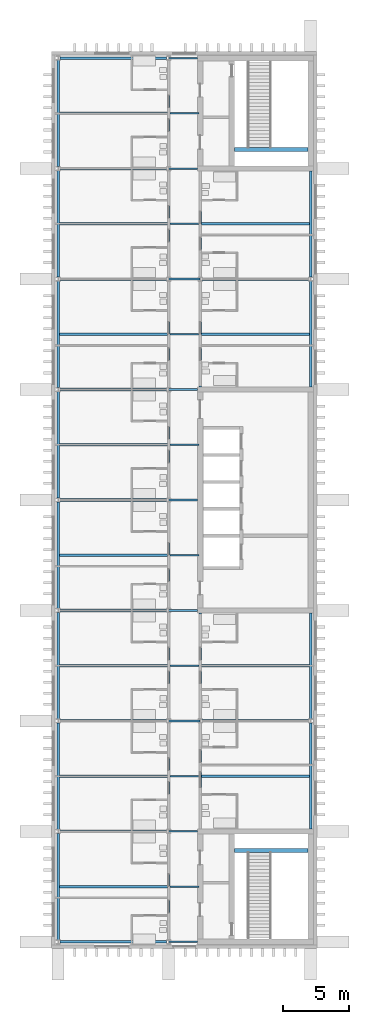
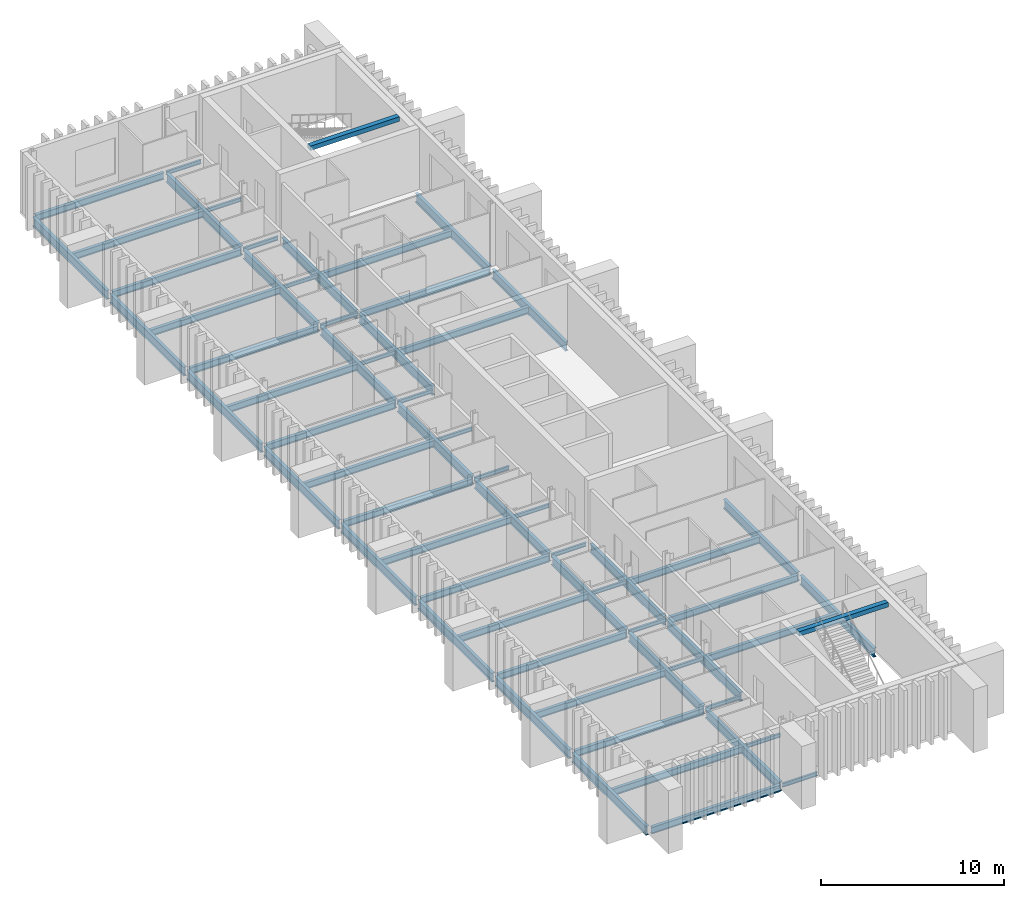
# One storey, part 3 of 11: 66 beams.
"""IFC4 building model written with IfcOpenShell, lengths in metres."""

from ifc_helpers import new_model, si_unit, direction, frame, origin, origin_2d, place, context, subcontext, project, spatial, rectangle, i_section, extrude, material, material_profile, profile_set, type_object, element, save


model = new_model("IFC4")

# Units and contexts
model_context = context("Model", 3, precision=1e-05, world=origin(), true_north=direction((0.0, 1.0)))
body_context = subcontext(model_context, "Body", "Model", "MODEL_VIEW")
ifc_project = project(units=[si_unit("LENGTHUNIT", "METRE"), si_unit("AREAUNIT", "SQUARE_METRE"), si_unit("VOLUMEUNIT", "CUBIC_METRE"), si_unit("PLANEANGLEUNIT", "RADIAN"), si_unit("MASSUNIT", "GRAM", prefix="KILO")], contexts=[model_context])

# Site, building, storey
site_placement = place(None, origin())
site = spatial("IfcSite", under=ifc_project, at=site_placement, CompositionType="ELEMENT")
building_placement = place(site_placement, origin())
building = spatial("IfcBuilding", under=site, at=building_placement, Name="Cresset Court Congress Hotel", CompositionType="ELEMENT")
storey_placement = place(building_placement, frame((0.0, 0.0, 60.60009765625)))
storey = spatial("IfcBuildingStorey", under=building, at=storey_placement, Name="L14", CompositionType="ELEMENT", Elevation=60.60009765625)

# Beams
ifc_material_1 = material(Name="Concrete C40", Category="concrete")
ifc_material_profile_1 = material_profile(ifc_material_1, rectangle(XDim=0.300048828125, YDim=0.300048828125, at=origin_2d()), Name="RC300x300")
ifc_profile_set_1 = profile_set([ifc_material_profile_1], Name="Concrete C40")
beam_type_1 = type_object("IfcBeamType", Name="RC trimmer beam 300x300", PredefinedType="BEAM", material=ifc_profile_set_1)
for number, where, z_axis, x_axis, name in (
    (1, (170.60009765625, 6.94921875, 3.89990234375), (1.0, 0.0, 0.0), (0.0, 1.0, 0.0), "Stair trimmer beam A1 L15"),
    (2, (170.60009765625, 60.250732421875, 3.89990234375), (1.0, 0.0, 0.0), (0.0, 1.0, 0.0), "Stair trimmer beam A2 L15"),
):
    element("IfcBeam", number, at=place(storey_placement, frame(where, z_axis=z_axis, x_axis=x_axis)), inside=storey, type_object=beam_type_1, Name=name, PredefinedType="BEAM", context=body_context, shape_type="SweptSolid", body=[
        extrude(rectangle(XDim=0.300048828125, YDim=0.300048828125, at=origin_2d()), origin(), (0.0, 0.0, 1.0), 5.599853515625),
    ])
ifc_material_2 = material(Name="Structural steel Q355B", Category="steel")
ifc_material_profile_2 = material_profile(ifc_material_2, i_section(OverallWidth=0.198974609375, OverallDepth=0.446044921875, WebThickness=0.008056640625, FlangeThickness=0.011962890625, FilletRadius=0.012939453125, at=origin_2d()), Name="HN446x199x8x12")
ifc_profile_set_2 = profile_set([ifc_material_profile_2], Name="Structural steel Q355B")
beam_type_2 = type_object("IfcBeamType", Name="Steel beam HN446x199x8x12", PredefinedType="BEAM", material=ifc_profile_set_2)
beam_1_placement = place(storey_placement, frame((157.35009765625, 0.0, -0.373046875), z_axis=(1.0, 0.0, 0.0), x_axis=(0.0, 1.0, 0.0)))
element("IfcBeam", 3, at=beam_1_placement, inside=storey, type_object=beam_type_2, Name="A.bm.L14.W.frame0.0", PredefinedType="BEAM", context=body_context, shape_type="SweptSolid", body=[
    extrude(i_section(OverallWidth=0.198974609375, OverallDepth=0.446044921875, WebThickness=0.008056640625, FlangeThickness=0.011962890625, FilletRadius=0.012939453125, at=origin_2d()), origin(), (0.0, 0.0, 1.0), 8.099853515625),
])
beam_2_placement = place(storey_placement, frame((157.300048828125, 4.199951171875, -0.373046875), z_axis=(1.0, 0.0, 0.0), x_axis=(0.0, 1.0, 0.0)))
element("IfcBeam", 4, at=beam_2_placement, inside=storey, type_object=beam_type_2, Name="A.bm.L14.W.mid.0", PredefinedType="BEAM", context=body_context, shape_type="SweptSolid", body=[
    extrude(i_section(OverallWidth=0.198974609375, OverallDepth=0.446044921875, WebThickness=0.008056640625, FlangeThickness=0.011962890625, FilletRadius=0.012939453125, at=origin_2d()), origin(), (0.0, 0.0, 1.0), 8.199951171875),
])
beam_3_placement = place(storey_placement, frame((157.35009765625, 8.39990234375, -0.373046875), z_axis=(1.0, 0.0, 0.0), x_axis=(0.0, 1.0, 0.0)))
element("IfcBeam", 5, at=beam_3_placement, inside=storey, type_object=beam_type_2, Name="A.bm.L14.W.frame0.1", PredefinedType="BEAM", context=body_context, shape_type="SweptSolid", body=[
    extrude(i_section(OverallWidth=0.198974609375, OverallDepth=0.446044921875, WebThickness=0.008056640625, FlangeThickness=0.011962890625, FilletRadius=0.012939453125, at=origin_2d()), origin(), (0.0, 0.0, 1.0), 8.099853515625),
])
for number, where, z_axis, x_axis, name in (
    (6, (157.300048828125, 12.60009765625, -0.373046875), (1.0, 0.0, 0.0), (0.0, 1.0, 0.0), "A.bm.L14.W.mid.1"),
    (7, (168.10009765625, 12.60009765625, -0.373046875), (1.0, 0.0, 0.0), (0.0, 1.0, 0.0), "A.bm.L14.E.mid.1"),
):
    element("IfcBeam", number, at=place(storey_placement, frame(where, z_axis=z_axis, x_axis=x_axis)), inside=storey, type_object=beam_type_2, Name=name, PredefinedType="BEAM", context=body_context, shape_type="SweptSolid", body=[
        extrude(i_section(OverallWidth=0.198974609375, OverallDepth=0.446044921875, WebThickness=0.008056640625, FlangeThickness=0.011962890625, FilletRadius=0.012939453125, at=origin_2d()), origin(), (0.0, 0.0, 1.0), 8.199951171875),
    ])
beam_4_placement = place(storey_placement, frame((157.35009765625, 16.800048828125, -0.373046875), z_axis=(1.0, 0.0, 0.0), x_axis=(0.0, 1.0, 0.0)))
element("IfcBeam", 8, at=beam_4_placement, inside=storey, type_object=beam_type_2, Name="A.bm.L14.W.frame0.2", PredefinedType="BEAM", context=body_context, shape_type="SweptSolid", body=[
    extrude(i_section(OverallWidth=0.198974609375, OverallDepth=0.446044921875, WebThickness=0.008056640625, FlangeThickness=0.011962890625, FilletRadius=0.012939453125, at=origin_2d()), origin(), (0.0, 0.0, 1.0), 8.099853515625),
])
beam_5_placement = place(storey_placement, frame((168.14990234375, 16.800048828125, -0.373046875), z_axis=(1.0, 0.0, 0.0), x_axis=(0.0, 1.0, 0.0)))
element("IfcBeam", 9, at=beam_5_placement, inside=storey, type_object=beam_type_2, Name="A.bm.L14.E.frame0.2", PredefinedType="BEAM", context=body_context, shape_type="SweptSolid", body=[
    extrude(i_section(OverallWidth=0.198974609375, OverallDepth=0.446044921875, WebThickness=0.008056640625, FlangeThickness=0.011962890625, FilletRadius=0.012939453125, at=origin_2d()), origin(), (0.0, 0.0, 1.0), 8.10009765625),
])
for number, where, z_axis, x_axis, name in (
    (10, (157.300048828125, 21.0, -0.373046875), (1.0, 0.0, 0.0), (0.0, 1.0, 0.0), "A.bm.L14.W.mid.2"),
    (11, (168.10009765625, 21.0, -0.373046875), (1.0, 0.0, 0.0), (0.0, 1.0, 0.0), "A.bm.L14.E.mid.2"),
):
    element("IfcBeam", number, at=place(storey_placement, frame(where, z_axis=z_axis, x_axis=x_axis)), inside=storey, type_object=beam_type_2, Name=name, PredefinedType="BEAM", context=body_context, shape_type="SweptSolid", body=[
        extrude(i_section(OverallWidth=0.198974609375, OverallDepth=0.446044921875, WebThickness=0.008056640625, FlangeThickness=0.011962890625, FilletRadius=0.012939453125, at=origin_2d()), origin(), (0.0, 0.0, 1.0), 8.199951171875),
    ])
beam_6_placement = place(storey_placement, frame((157.35009765625, 25.199951171875, -0.373046875), z_axis=(1.0, 0.0, 0.0), x_axis=(0.0, 1.0, 0.0)))
element("IfcBeam", 12, at=beam_6_placement, inside=storey, type_object=beam_type_2, Name="A.bm.L14.W.frame0.3", PredefinedType="BEAM", context=body_context, shape_type="SweptSolid", body=[
    extrude(i_section(OverallWidth=0.198974609375, OverallDepth=0.446044921875, WebThickness=0.008056640625, FlangeThickness=0.011962890625, FilletRadius=0.012939453125, at=origin_2d()), origin(), (0.0, 0.0, 1.0), 8.099853515625),
])
beam_7_placement = place(storey_placement, frame((157.300048828125, 29.39990234375, -0.373046875), z_axis=(1.0, 0.0, 0.0), x_axis=(0.0, 1.0, 0.0)))
element("IfcBeam", 13, at=beam_7_placement, inside=storey, type_object=beam_type_2, Name="A.bm.L14.W.mid.3", PredefinedType="BEAM", context=body_context, shape_type="SweptSolid", body=[
    extrude(i_section(OverallWidth=0.198974609375, OverallDepth=0.446044921875, WebThickness=0.008056640625, FlangeThickness=0.011962890625, FilletRadius=0.012939453125, at=origin_2d()), origin(), (0.0, 0.0, 1.0), 8.199951171875),
])
beam_8_placement = place(storey_placement, frame((157.35009765625, 33.60009765625, -0.373046875), z_axis=(1.0, 0.0, 0.0), x_axis=(0.0, 1.0, 0.0)))
element("IfcBeam", 14, at=beam_8_placement, inside=storey, type_object=beam_type_2, Name="A.bm.L14.W.frame0.4", PredefinedType="BEAM", context=body_context, shape_type="SweptSolid", body=[
    extrude(i_section(OverallWidth=0.198974609375, OverallDepth=0.446044921875, WebThickness=0.008056640625, FlangeThickness=0.011962890625, FilletRadius=0.012939453125, at=origin_2d()), origin(), (0.0, 0.0, 1.0), 8.099853515625),
])
beam_9_placement = place(storey_placement, frame((157.300048828125, 37.800048828125, -0.373046875), z_axis=(1.0, 0.0, 0.0), x_axis=(0.0, 1.0, 0.0)))
element("IfcBeam", 15, at=beam_9_placement, inside=storey, type_object=beam_type_2, Name="A.bm.L14.W.mid.4", PredefinedType="BEAM", context=body_context, shape_type="SweptSolid", body=[
    extrude(i_section(OverallWidth=0.198974609375, OverallDepth=0.446044921875, WebThickness=0.008056640625, FlangeThickness=0.011962890625, FilletRadius=0.012939453125, at=origin_2d()), origin(), (0.0, 0.0, 1.0), 8.199951171875),
])
beam_10_placement = place(storey_placement, frame((157.35009765625, 42.0, -0.373046875), z_axis=(1.0, 0.0, 0.0), x_axis=(0.0, 1.0, 0.0)))
element("IfcBeam", 16, at=beam_10_placement, inside=storey, type_object=beam_type_2, Name="A.bm.L14.W.frame0.5", PredefinedType="BEAM", context=body_context, shape_type="SweptSolid", body=[
    extrude(i_section(OverallWidth=0.198974609375, OverallDepth=0.446044921875, WebThickness=0.008056640625, FlangeThickness=0.011962890625, FilletRadius=0.012939453125, at=origin_2d()), origin(), (0.0, 0.0, 1.0), 8.099853515625),
])
for number, where, z_axis, x_axis, name in (
    (17, (157.300048828125, 46.199951171875, -0.373046875), (1.0, 0.0, 0.0), (0.0, 1.0, 0.0), "A.bm.L14.W.mid.5"),
    (18, (168.10009765625, 46.199951171875, -0.373046875), (1.0, 0.0, 0.0), (0.0, 1.0, 0.0), "A.bm.L14.E.mid.5"),
):
    element("IfcBeam", number, at=place(storey_placement, frame(where, z_axis=z_axis, x_axis=x_axis)), inside=storey, type_object=beam_type_2, Name=name, PredefinedType="BEAM", context=body_context, shape_type="SweptSolid", body=[
        extrude(i_section(OverallWidth=0.198974609375, OverallDepth=0.446044921875, WebThickness=0.008056640625, FlangeThickness=0.011962890625, FilletRadius=0.012939453125, at=origin_2d()), origin(), (0.0, 0.0, 1.0), 8.199951171875),
    ])
beam_11_placement = place(storey_placement, frame((157.35009765625, 50.39990234375, -0.373046875), z_axis=(1.0, 0.0, 0.0), x_axis=(0.0, 1.0, 0.0)))
element("IfcBeam", 19, at=beam_11_placement, inside=storey, type_object=beam_type_2, Name="A.bm.L14.W.frame0.6", PredefinedType="BEAM", context=body_context, shape_type="SweptSolid", body=[
    extrude(i_section(OverallWidth=0.198974609375, OverallDepth=0.446044921875, WebThickness=0.008056640625, FlangeThickness=0.011962890625, FilletRadius=0.012939453125, at=origin_2d()), origin(), (0.0, 0.0, 1.0), 8.099853515625),
])
beam_12_placement = place(storey_placement, frame((168.14990234375, 50.39990234375, -0.373046875), z_axis=(1.0, 0.0, 0.0), x_axis=(0.0, 1.0, 0.0)))
element("IfcBeam", 20, at=beam_12_placement, inside=storey, type_object=beam_type_2, Name="A.bm.L14.E.frame0.6", PredefinedType="BEAM", context=body_context, shape_type="SweptSolid", body=[
    extrude(i_section(OverallWidth=0.198974609375, OverallDepth=0.446044921875, WebThickness=0.008056640625, FlangeThickness=0.011962890625, FilletRadius=0.012939453125, at=origin_2d()), origin(), (0.0, 0.0, 1.0), 8.10009765625),
])
for number, where, z_axis, x_axis, name in (
    (21, (157.300048828125, 54.60009765625, -0.373046875), (1.0, 0.0, 0.0), (0.0, 1.0, 0.0), "A.bm.L14.W.mid.6"),
    (22, (168.10009765625, 54.60009765625, -0.373046875), (1.0, 0.0, 0.0), (0.0, 1.0, 0.0), "A.bm.L14.E.mid.6"),
):
    element("IfcBeam", number, at=place(storey_placement, frame(where, z_axis=z_axis, x_axis=x_axis)), inside=storey, type_object=beam_type_2, Name=name, PredefinedType="BEAM", context=body_context, shape_type="SweptSolid", body=[
        extrude(i_section(OverallWidth=0.198974609375, OverallDepth=0.446044921875, WebThickness=0.008056640625, FlangeThickness=0.011962890625, FilletRadius=0.012939453125, at=origin_2d()), origin(), (0.0, 0.0, 1.0), 8.199951171875),
    ])
beam_13_placement = place(storey_placement, frame((157.35009765625, 58.800048828125, -0.373046875), z_axis=(1.0, 0.0, 0.0), x_axis=(0.0, 1.0, 0.0)))
element("IfcBeam", 23, at=beam_13_placement, inside=storey, type_object=beam_type_2, Name="A.bm.L14.W.frame0.7", PredefinedType="BEAM", context=body_context, shape_type="SweptSolid", body=[
    extrude(i_section(OverallWidth=0.198974609375, OverallDepth=0.446044921875, WebThickness=0.008056640625, FlangeThickness=0.011962890625, FilletRadius=0.012939453125, at=origin_2d()), origin(), (0.0, 0.0, 1.0), 8.099853515625),
])
beam_14_placement = place(storey_placement, frame((157.300048828125, 63.0, -0.373046875), z_axis=(1.0, 0.0, 0.0), x_axis=(0.0, 1.0, 0.0)))
element("IfcBeam", 24, at=beam_14_placement, inside=storey, type_object=beam_type_2, Name="A.bm.L14.W.mid.7", PredefinedType="BEAM", context=body_context, shape_type="SweptSolid", body=[
    extrude(i_section(OverallWidth=0.198974609375, OverallDepth=0.446044921875, WebThickness=0.008056640625, FlangeThickness=0.011962890625, FilletRadius=0.012939453125, at=origin_2d()), origin(), (0.0, 0.0, 1.0), 8.199951171875),
])
beam_15_placement = place(storey_placement, frame((157.35009765625, 67.199951171875, -0.373046875), z_axis=(1.0, 0.0, 0.0), x_axis=(0.0, 1.0, 0.0)))
element("IfcBeam", 25, at=beam_15_placement, inside=storey, type_object=beam_type_2, Name="A.bm.L14.W.frame1.7", PredefinedType="BEAM", context=body_context, shape_type="SweptSolid", body=[
    extrude(i_section(OverallWidth=0.198974609375, OverallDepth=0.446044921875, WebThickness=0.008056640625, FlangeThickness=0.011962890625, FilletRadius=0.012939453125, at=origin_2d()), origin(), (0.0, 0.0, 1.0), 8.099853515625),
])
ifc_material_3 = material(Name="Structural steel Q355B", Category="steel")
ifc_material_profile_3 = material_profile(ifc_material_3, i_section(OverallWidth=0.125, OverallDepth=0.25, WebThickness=0.006103515625, FlangeThickness=0.009033203125, FilletRadius=0.012939453125, at=origin_2d()), Name="HN250x125x6x9")
ifc_profile_set_3 = profile_set([ifc_material_profile_3], Name="Structural steel Q355B")
beam_type_3 = type_object("IfcBeamType", Name="Steel corridor beam HN250x125x6x9", PredefinedType="BEAM", material=ifc_profile_set_3)
beam_16_placement = place(storey_placement, frame((165.60498046875, 0.0, -0.275146484375), z_axis=(1.0, 0.0, 0.0), x_axis=(0.0, 1.0, 0.0)))
element("IfcBeam", 26, at=beam_16_placement, inside=storey, type_object=beam_type_3, Name="A.bm.L14.C.frame0.0", PredefinedType="BEAM", context=body_context, shape_type="SweptSolid", body=[
    extrude(i_section(OverallWidth=0.125, OverallDepth=0.25, WebThickness=0.006103515625, FlangeThickness=0.009033203125, FilletRadius=0.012939453125, at=origin_2d()), origin(), (0.0, 0.0, 1.0), 2.195068359375),
])
beam_17_placement = place(storey_placement, frame((165.699951171875, 4.199951171875, -0.275146484375), z_axis=(1.0, 0.0, 0.0), x_axis=(0.0, 1.0, 0.0)))
element("IfcBeam", 27, at=beam_17_placement, inside=storey, type_object=beam_type_3, Name="A.bm.L14.C.mid.0", PredefinedType="BEAM", context=body_context, shape_type="SweptSolid", body=[
    extrude(i_section(OverallWidth=0.125, OverallDepth=0.25, WebThickness=0.006103515625, FlangeThickness=0.009033203125, FilletRadius=0.012939453125, at=origin_2d()), origin(), (0.0, 0.0, 1.0), 2.199951171875),
])
beam_18_placement = place(storey_placement, frame((165.60498046875, 8.39990234375, -0.275146484375), z_axis=(1.0, 0.0, 0.0), x_axis=(0.0, 1.0, 0.0)))
element("IfcBeam", 28, at=beam_18_placement, inside=storey, type_object=beam_type_3, Name="A.bm.L14.C.frame0.1", PredefinedType="BEAM", context=body_context, shape_type="SweptSolid", body=[
    extrude(i_section(OverallWidth=0.125, OverallDepth=0.25, WebThickness=0.006103515625, FlangeThickness=0.009033203125, FilletRadius=0.012939453125, at=origin_2d()), origin(), (0.0, 0.0, 1.0), 2.195068359375),
])
beam_19_placement = place(storey_placement, frame((165.699951171875, 12.60009765625, -0.275146484375), z_axis=(1.0, 0.0, 0.0), x_axis=(0.0, 1.0, 0.0)))
element("IfcBeam", 29, at=beam_19_placement, inside=storey, type_object=beam_type_3, Name="A.bm.L14.C.mid.1", PredefinedType="BEAM", context=body_context, shape_type="SweptSolid", body=[
    extrude(i_section(OverallWidth=0.125, OverallDepth=0.25, WebThickness=0.006103515625, FlangeThickness=0.009033203125, FilletRadius=0.012939453125, at=origin_2d()), origin(), (0.0, 0.0, 1.0), 2.199951171875),
])
beam_20_placement = place(storey_placement, frame((165.60498046875, 16.800048828125, -0.275146484375), z_axis=(1.0, 0.0, 0.0), x_axis=(0.0, 1.0, 0.0)))
element("IfcBeam", 30, at=beam_20_placement, inside=storey, type_object=beam_type_3, Name="A.bm.L14.C.frame0.2", PredefinedType="BEAM", context=body_context, shape_type="SweptSolid", body=[
    extrude(i_section(OverallWidth=0.125, OverallDepth=0.25, WebThickness=0.006103515625, FlangeThickness=0.009033203125, FilletRadius=0.012939453125, at=origin_2d()), origin(), (0.0, 0.0, 1.0), 2.39013671875),
])
beam_21_placement = place(storey_placement, frame((165.699951171875, 21.0, -0.275146484375), z_axis=(1.0, 0.0, 0.0), x_axis=(0.0, 1.0, 0.0)))
element("IfcBeam", 31, at=beam_21_placement, inside=storey, type_object=beam_type_3, Name="A.bm.L14.C.mid.2", PredefinedType="BEAM", context=body_context, shape_type="SweptSolid", body=[
    extrude(i_section(OverallWidth=0.125, OverallDepth=0.25, WebThickness=0.006103515625, FlangeThickness=0.009033203125, FilletRadius=0.012939453125, at=origin_2d()), origin(), (0.0, 0.0, 1.0), 2.199951171875),
])
beam_22_placement = place(storey_placement, frame((165.60498046875, 25.199951171875, -0.275146484375), z_axis=(1.0, 0.0, 0.0), x_axis=(0.0, 1.0, 0.0)))
element("IfcBeam", 32, at=beam_22_placement, inside=storey, type_object=beam_type_3, Name="A.bm.L14.C.frame0.3", PredefinedType="BEAM", context=body_context, shape_type="SweptSolid", body=[
    extrude(i_section(OverallWidth=0.125, OverallDepth=0.25, WebThickness=0.006103515625, FlangeThickness=0.009033203125, FilletRadius=0.012939453125, at=origin_2d()), origin(), (0.0, 0.0, 1.0), 2.195068359375),
])
beam_23_placement = place(storey_placement, frame((165.699951171875, 29.39990234375, -0.275146484375), z_axis=(1.0, 0.0, 0.0), x_axis=(0.0, 1.0, 0.0)))
element("IfcBeam", 33, at=beam_23_placement, inside=storey, type_object=beam_type_3, Name="A.bm.L14.C.mid.3", PredefinedType="BEAM", context=body_context, shape_type="SweptSolid", body=[
    extrude(i_section(OverallWidth=0.125, OverallDepth=0.25, WebThickness=0.006103515625, FlangeThickness=0.009033203125, FilletRadius=0.012939453125, at=origin_2d()), origin(), (0.0, 0.0, 1.0), 2.199951171875),
])
beam_24_placement = place(storey_placement, frame((165.60498046875, 33.60009765625, -0.275146484375), z_axis=(1.0, 0.0, 0.0), x_axis=(0.0, 1.0, 0.0)))
element("IfcBeam", 34, at=beam_24_placement, inside=storey, type_object=beam_type_3, Name="A.bm.L14.C.frame0.4", PredefinedType="BEAM", context=body_context, shape_type="SweptSolid", body=[
    extrude(i_section(OverallWidth=0.125, OverallDepth=0.25, WebThickness=0.006103515625, FlangeThickness=0.009033203125, FilletRadius=0.012939453125, at=origin_2d()), origin(), (0.0, 0.0, 1.0), 2.195068359375),
])
beam_25_placement = place(storey_placement, frame((165.699951171875, 37.800048828125, -0.275146484375), z_axis=(1.0, 0.0, 0.0), x_axis=(0.0, 1.0, 0.0)))
element("IfcBeam", 35, at=beam_25_placement, inside=storey, type_object=beam_type_3, Name="A.bm.L14.C.mid.4", PredefinedType="BEAM", context=body_context, shape_type="SweptSolid", body=[
    extrude(i_section(OverallWidth=0.125, OverallDepth=0.25, WebThickness=0.006103515625, FlangeThickness=0.009033203125, FilletRadius=0.012939453125, at=origin_2d()), origin(), (0.0, 0.0, 1.0), 2.199951171875),
])
beam_26_placement = place(storey_placement, frame((165.60498046875, 42.0, -0.275146484375), z_axis=(1.0, 0.0, 0.0), x_axis=(0.0, 1.0, 0.0)))
element("IfcBeam", 36, at=beam_26_placement, inside=storey, type_object=beam_type_3, Name="A.bm.L14.C.frame0.5", PredefinedType="BEAM", context=body_context, shape_type="SweptSolid", body=[
    extrude(i_section(OverallWidth=0.125, OverallDepth=0.25, WebThickness=0.006103515625, FlangeThickness=0.009033203125, FilletRadius=0.012939453125, at=origin_2d()), origin(), (0.0, 0.0, 1.0), 2.195068359375),
])
beam_27_placement = place(storey_placement, frame((165.699951171875, 46.199951171875, -0.275146484375), z_axis=(1.0, 0.0, 0.0), x_axis=(0.0, 1.0, 0.0)))
element("IfcBeam", 37, at=beam_27_placement, inside=storey, type_object=beam_type_3, Name="A.bm.L14.C.mid.5", PredefinedType="BEAM", context=body_context, shape_type="SweptSolid", body=[
    extrude(i_section(OverallWidth=0.125, OverallDepth=0.25, WebThickness=0.006103515625, FlangeThickness=0.009033203125, FilletRadius=0.012939453125, at=origin_2d()), origin(), (0.0, 0.0, 1.0), 2.199951171875),
])
beam_28_placement = place(storey_placement, frame((165.60498046875, 50.39990234375, -0.275146484375), z_axis=(1.0, 0.0, 0.0), x_axis=(0.0, 1.0, 0.0)))
element("IfcBeam", 38, at=beam_28_placement, inside=storey, type_object=beam_type_3, Name="A.bm.L14.C.frame0.6", PredefinedType="BEAM", context=body_context, shape_type="SweptSolid", body=[
    extrude(i_section(OverallWidth=0.125, OverallDepth=0.25, WebThickness=0.006103515625, FlangeThickness=0.009033203125, FilletRadius=0.012939453125, at=origin_2d()), origin(), (0.0, 0.0, 1.0), 2.39013671875),
])
beam_29_placement = place(storey_placement, frame((165.699951171875, 54.60009765625, -0.275146484375), z_axis=(1.0, 0.0, 0.0), x_axis=(0.0, 1.0, 0.0)))
element("IfcBeam", 39, at=beam_29_placement, inside=storey, type_object=beam_type_3, Name="A.bm.L14.C.mid.6", PredefinedType="BEAM", context=body_context, shape_type="SweptSolid", body=[
    extrude(i_section(OverallWidth=0.125, OverallDepth=0.25, WebThickness=0.006103515625, FlangeThickness=0.009033203125, FilletRadius=0.012939453125, at=origin_2d()), origin(), (0.0, 0.0, 1.0), 2.199951171875),
])
beam_30_placement = place(storey_placement, frame((165.60498046875, 58.800048828125, -0.275146484375), z_axis=(1.0, 0.0, 0.0), x_axis=(0.0, 1.0, 0.0)))
element("IfcBeam", 40, at=beam_30_placement, inside=storey, type_object=beam_type_3, Name="A.bm.L14.C.frame0.7", PredefinedType="BEAM", context=body_context, shape_type="SweptSolid", body=[
    extrude(i_section(OverallWidth=0.125, OverallDepth=0.25, WebThickness=0.006103515625, FlangeThickness=0.009033203125, FilletRadius=0.012939453125, at=origin_2d()), origin(), (0.0, 0.0, 1.0), 2.195068359375),
])
beam_31_placement = place(storey_placement, frame((165.699951171875, 63.0, -0.275146484375), z_axis=(1.0, 0.0, 0.0), x_axis=(0.0, 1.0, 0.0)))
element("IfcBeam", 41, at=beam_31_placement, inside=storey, type_object=beam_type_3, Name="A.bm.L14.C.mid.7", PredefinedType="BEAM", context=body_context, shape_type="SweptSolid", body=[
    extrude(i_section(OverallWidth=0.125, OverallDepth=0.25, WebThickness=0.006103515625, FlangeThickness=0.009033203125, FilletRadius=0.012939453125, at=origin_2d()), origin(), (0.0, 0.0, 1.0), 2.199951171875),
])
beam_32_placement = place(storey_placement, frame((165.60498046875, 67.199951171875, -0.275146484375), z_axis=(1.0, 0.0, 0.0), x_axis=(0.0, 1.0, 0.0)))
element("IfcBeam", 42, at=beam_32_placement, inside=storey, type_object=beam_type_3, Name="A.bm.L14.C.frame1.7", PredefinedType="BEAM", context=body_context, shape_type="SweptSolid", body=[
    extrude(i_section(OverallWidth=0.125, OverallDepth=0.25, WebThickness=0.006103515625, FlangeThickness=0.009033203125, FilletRadius=0.012939453125, at=origin_2d()), origin(), (0.0, 0.0, 1.0), 2.195068359375),
])
ifc_material_4 = material(Name="Structural steel Q355B", Category="steel")
ifc_material_profile_4 = material_profile(ifc_material_4, i_section(OverallWidth=0.199951171875, OverallDepth=0.60009765625, WebThickness=0.010986328125, FlangeThickness=0.01708984375, FilletRadius=0.012939453125, at=origin_2d()), Name="HN600x200x11x17")
ifc_profile_set_4 = profile_set([ifc_material_profile_4], Name="Structural steel Q355B")
beam_type_4 = type_object("IfcBeamType", Name="Steel girder HN600x200x11x17", PredefinedType="BEAM", material=ifc_profile_set_4)
beam_33_placement = place(storey_placement, frame((157.199951171875, 0.14990234375, -0.4501953125), z_axis=(0.0, 1.0, 0.0), x_axis=(-1.0, 0.0, 0.0)))
element("IfcBeam", 43, at=beam_33_placement, inside=storey, type_object=beam_type_4, Name="A.gir.L14.0.0", PredefinedType="BEAM", context=body_context, shape_type="SweptSolid", body=[
    extrude(i_section(OverallWidth=0.199951171875, OverallDepth=0.60009765625, WebThickness=0.010986328125, FlangeThickness=0.01708984375, FilletRadius=0.012939453125, at=origin_2d()), origin(), (0.0, 0.0, 1.0), 8.10009765625),
])
beam_34_placement = place(storey_placement, frame((157.199951171875, 8.550048828125, -0.4501953125), z_axis=(0.0, 1.0, 0.0), x_axis=(-1.0, 0.0, 0.0)))
element("IfcBeam", 44, at=beam_34_placement, inside=storey, type_object=beam_type_4, Name="A.gir.L14.0.1", PredefinedType="BEAM", context=body_context, shape_type="SweptSolid", body=[
    extrude(i_section(OverallWidth=0.199951171875, OverallDepth=0.60009765625, WebThickness=0.010986328125, FlangeThickness=0.01708984375, FilletRadius=0.012939453125, at=origin_2d()), origin(), (0.0, 0.0, 1.0), 8.099853515625),
])
beam_35_placement = place(storey_placement, frame((157.199951171875, 16.949951171875, -0.4501953125), z_axis=(0.0, 1.0, 0.0), x_axis=(-1.0, 0.0, 0.0)))
element("IfcBeam", 45, at=beam_35_placement, inside=storey, type_object=beam_type_4, Name="A.gir.L14.0.2", PredefinedType="BEAM", context=body_context, shape_type="SweptSolid", body=[
    extrude(i_section(OverallWidth=0.199951171875, OverallDepth=0.60009765625, WebThickness=0.010986328125, FlangeThickness=0.01708984375, FilletRadius=0.012939453125, at=origin_2d()), origin(), (0.0, 0.0, 1.0), 8.10009765625),
])
beam_36_placement = place(storey_placement, frame((157.199951171875, 25.35009765625, -0.4501953125), z_axis=(0.0, 1.0, 0.0), x_axis=(-1.0, 0.0, 0.0)))
element("IfcBeam", 46, at=beam_36_placement, inside=storey, type_object=beam_type_4, Name="A.gir.L14.0.3", PredefinedType="BEAM", context=body_context, shape_type="SweptSolid", body=[
    extrude(i_section(OverallWidth=0.199951171875, OverallDepth=0.60009765625, WebThickness=0.010986328125, FlangeThickness=0.01708984375, FilletRadius=0.012939453125, at=origin_2d()), origin(), (0.0, 0.0, 1.0), 8.099853515625),
])
for number, where, z_axis, x_axis, name in (
    (47, (157.199951171875, 33.75, -0.4501953125), (0.0, 1.0, 0.0), (-1.0, 0.0, 0.0), "A.gir.L14.0.4"),
    (48, (157.199951171875, 42.14990234375, -0.4501953125), (0.0, 1.0, 0.0), (-1.0, 0.0, 0.0), "A.gir.L14.0.5"),
):
    element("IfcBeam", number, at=place(storey_placement, frame(where, z_axis=z_axis, x_axis=x_axis)), inside=storey, type_object=beam_type_4, Name=name, PredefinedType="BEAM", context=body_context, shape_type="SweptSolid", body=[
        extrude(i_section(OverallWidth=0.199951171875, OverallDepth=0.60009765625, WebThickness=0.010986328125, FlangeThickness=0.01708984375, FilletRadius=0.012939453125, at=origin_2d()), origin(), (0.0, 0.0, 1.0), 8.10009765625),
    ])
beam_37_placement = place(storey_placement, frame((157.199951171875, 50.550048828125, -0.4501953125), z_axis=(0.0, 1.0, 0.0), x_axis=(-1.0, 0.0, 0.0)))
element("IfcBeam", 49, at=beam_37_placement, inside=storey, type_object=beam_type_4, Name="A.gir.L14.0.6", PredefinedType="BEAM", context=body_context, shape_type="SweptSolid", body=[
    extrude(i_section(OverallWidth=0.199951171875, OverallDepth=0.60009765625, WebThickness=0.010986328125, FlangeThickness=0.01708984375, FilletRadius=0.012939453125, at=origin_2d()), origin(), (0.0, 0.0, 1.0), 8.099853515625),
])
for number, where, z_axis, x_axis, name in (
    (50, (157.199951171875, 58.949951171875, -0.4501953125), (0.0, 1.0, 0.0), (-1.0, 0.0, 0.0), "A.gir.L14.0.7"),
    (51, (165.60009765625, 0.14990234375, -0.4501953125), (0.0, 1.0, 0.0), (-1.0, 0.0, 0.0), "A.gir.L14.1.0"),
):
    element("IfcBeam", number, at=place(storey_placement, frame(where, z_axis=z_axis, x_axis=x_axis)), inside=storey, type_object=beam_type_4, Name=name, PredefinedType="BEAM", context=body_context, shape_type="SweptSolid", body=[
        extrude(i_section(OverallWidth=0.199951171875, OverallDepth=0.60009765625, WebThickness=0.010986328125, FlangeThickness=0.01708984375, FilletRadius=0.012939453125, at=origin_2d()), origin(), (0.0, 0.0, 1.0), 8.10009765625),
    ])
beam_38_placement = place(storey_placement, frame((165.60009765625, 8.550048828125, -0.4501953125), z_axis=(0.0, 1.0, 0.0), x_axis=(-1.0, 0.0, 0.0)))
element("IfcBeam", 52, at=beam_38_placement, inside=storey, type_object=beam_type_4, Name="A.gir.L14.1.1", PredefinedType="BEAM", context=body_context, shape_type="SweptSolid", body=[
    extrude(i_section(OverallWidth=0.199951171875, OverallDepth=0.60009765625, WebThickness=0.010986328125, FlangeThickness=0.01708984375, FilletRadius=0.012939453125, at=origin_2d()), origin(), (0.0, 0.0, 1.0), 8.099853515625),
])
beam_39_placement = place(storey_placement, frame((165.60009765625, 16.949951171875, -0.4501953125), z_axis=(0.0, 1.0, 0.0), x_axis=(-1.0, 0.0, 0.0)))
element("IfcBeam", 53, at=beam_39_placement, inside=storey, type_object=beam_type_4, Name="A.gir.L14.1.2", PredefinedType="BEAM", context=body_context, shape_type="SweptSolid", body=[
    extrude(i_section(OverallWidth=0.199951171875, OverallDepth=0.60009765625, WebThickness=0.010986328125, FlangeThickness=0.01708984375, FilletRadius=0.012939453125, at=origin_2d()), origin(), (0.0, 0.0, 1.0), 8.10009765625),
])
beam_40_placement = place(storey_placement, frame((165.60009765625, 25.35009765625, -0.4501953125), z_axis=(0.0, 1.0, 0.0), x_axis=(-1.0, 0.0, 0.0)))
element("IfcBeam", 54, at=beam_40_placement, inside=storey, type_object=beam_type_4, Name="A.gir.L14.1.3", PredefinedType="BEAM", context=body_context, shape_type="SweptSolid", body=[
    extrude(i_section(OverallWidth=0.199951171875, OverallDepth=0.60009765625, WebThickness=0.010986328125, FlangeThickness=0.01708984375, FilletRadius=0.012939453125, at=origin_2d()), origin(), (0.0, 0.0, 1.0), 8.099853515625),
])
for number, where, z_axis, x_axis, name in (
    (55, (165.60009765625, 33.75, -0.4501953125), (0.0, 1.0, 0.0), (-1.0, 0.0, 0.0), "A.gir.L14.1.4"),
    (56, (165.60009765625, 42.14990234375, -0.4501953125), (0.0, 1.0, 0.0), (-1.0, 0.0, 0.0), "A.gir.L14.1.5"),
):
    element("IfcBeam", number, at=place(storey_placement, frame(where, z_axis=z_axis, x_axis=x_axis)), inside=storey, type_object=beam_type_4, Name=name, PredefinedType="BEAM", context=body_context, shape_type="SweptSolid", body=[
        extrude(i_section(OverallWidth=0.199951171875, OverallDepth=0.60009765625, WebThickness=0.010986328125, FlangeThickness=0.01708984375, FilletRadius=0.012939453125, at=origin_2d()), origin(), (0.0, 0.0, 1.0), 8.10009765625),
    ])
beam_41_placement = place(storey_placement, frame((165.60009765625, 50.550048828125, -0.4501953125), z_axis=(0.0, 1.0, 0.0), x_axis=(-1.0, 0.0, 0.0)))
element("IfcBeam", 57, at=beam_41_placement, inside=storey, type_object=beam_type_4, Name="A.gir.L14.1.6", PredefinedType="BEAM", context=body_context, shape_type="SweptSolid", body=[
    extrude(i_section(OverallWidth=0.199951171875, OverallDepth=0.60009765625, WebThickness=0.010986328125, FlangeThickness=0.01708984375, FilletRadius=0.012939453125, at=origin_2d()), origin(), (0.0, 0.0, 1.0), 8.099853515625),
])
beam_42_placement = place(storey_placement, frame((165.60009765625, 58.949951171875, -0.4501953125), z_axis=(0.0, 1.0, 0.0), x_axis=(-1.0, 0.0, 0.0)))
element("IfcBeam", 58, at=beam_42_placement, inside=storey, type_object=beam_type_4, Name="A.gir.L14.1.7", PredefinedType="BEAM", context=body_context, shape_type="SweptSolid", body=[
    extrude(i_section(OverallWidth=0.199951171875, OverallDepth=0.60009765625, WebThickness=0.010986328125, FlangeThickness=0.01708984375, FilletRadius=0.012939453125, at=origin_2d()), origin(), (0.0, 0.0, 1.0), 8.10009765625),
])
beam_43_placement = place(storey_placement, frame((168.0, 8.60009765625, -0.4501953125), z_axis=(0.0, 1.0, 0.0), x_axis=(-1.0, 0.0, 0.0)))
element("IfcBeam", 59, at=beam_43_placement, inside=storey, type_object=beam_type_4, Name="A.gir.L14.2.1", PredefinedType="BEAM", context=body_context, shape_type="SweptSolid", body=[
    extrude(i_section(OverallWidth=0.199951171875, OverallDepth=0.60009765625, WebThickness=0.010986328125, FlangeThickness=0.01708984375, FilletRadius=0.012939453125, at=origin_2d()), origin(), (0.0, 0.0, 1.0), 8.0498046875),
])
for number, where, z_axis, x_axis, name in (
    (60, (168.0, 16.949951171875, -0.4501953125), (0.0, 1.0, 0.0), (-1.0, 0.0, 0.0), "A.gir.L14.2.2"),
    (61, (168.0, 42.199951171875, -0.4501953125), (0.0, 1.0, 0.0), (-1.0, 0.0, 0.0), "A.gir.L14.2.5"),
    (62, (168.0, 50.550048828125, -0.4501953125), (0.0, 1.0, 0.0), (-1.0, 0.0, 0.0), "A.gir.L14.2.6"),
):
    element("IfcBeam", number, at=place(storey_placement, frame(where, z_axis=z_axis, x_axis=x_axis)), inside=storey, type_object=beam_type_4, Name=name, PredefinedType="BEAM", context=body_context, shape_type="SweptSolid", body=[
        extrude(i_section(OverallWidth=0.199951171875, OverallDepth=0.60009765625, WebThickness=0.010986328125, FlangeThickness=0.01708984375, FilletRadius=0.012939453125, at=origin_2d()), origin(), (0.0, 0.0, 1.0), 8.050048828125),
    ])
beam_44_placement = place(storey_placement, frame((176.39990234375, 8.60009765625, -0.4501953125), z_axis=(0.0, 1.0, 0.0), x_axis=(-1.0, 0.0, 0.0)))
element("IfcBeam", 63, at=beam_44_placement, inside=storey, type_object=beam_type_4, Name="A.gir.L14.3.1", PredefinedType="BEAM", context=body_context, shape_type="SweptSolid", body=[
    extrude(i_section(OverallWidth=0.199951171875, OverallDepth=0.60009765625, WebThickness=0.010986328125, FlangeThickness=0.01708984375, FilletRadius=0.012939453125, at=origin_2d()), origin(), (0.0, 0.0, 1.0), 8.0498046875),
])
for number, where, z_axis, x_axis, name in (
    (64, (176.39990234375, 16.949951171875, -0.4501953125), (0.0, 1.0, 0.0), (-1.0, 0.0, 0.0), "A.gir.L14.3.2"),
    (65, (176.39990234375, 42.199951171875, -0.4501953125), (0.0, 1.0, 0.0), (-1.0, 0.0, 0.0), "A.gir.L14.3.5"),
    (66, (176.39990234375, 50.550048828125, -0.4501953125), (0.0, 1.0, 0.0), (-1.0, 0.0, 0.0), "A.gir.L14.3.6"),
):
    element("IfcBeam", number, at=place(storey_placement, frame(where, z_axis=z_axis, x_axis=x_axis)), inside=storey, type_object=beam_type_4, Name=name, PredefinedType="BEAM", context=body_context, shape_type="SweptSolid", body=[
        extrude(i_section(OverallWidth=0.199951171875, OverallDepth=0.60009765625, WebThickness=0.010986328125, FlangeThickness=0.01708984375, FilletRadius=0.012939453125, at=origin_2d()), origin(), (0.0, 0.0, 1.0), 8.050048828125),
    ])

save(model, "model.ifc")
